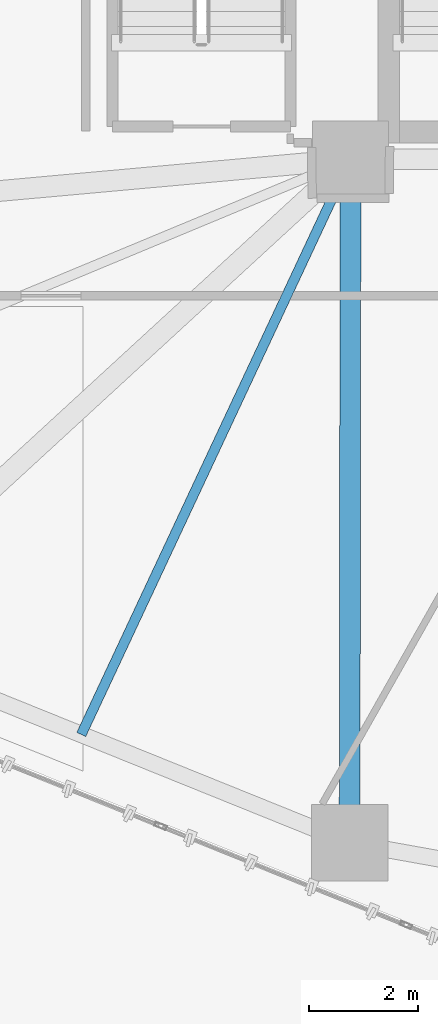
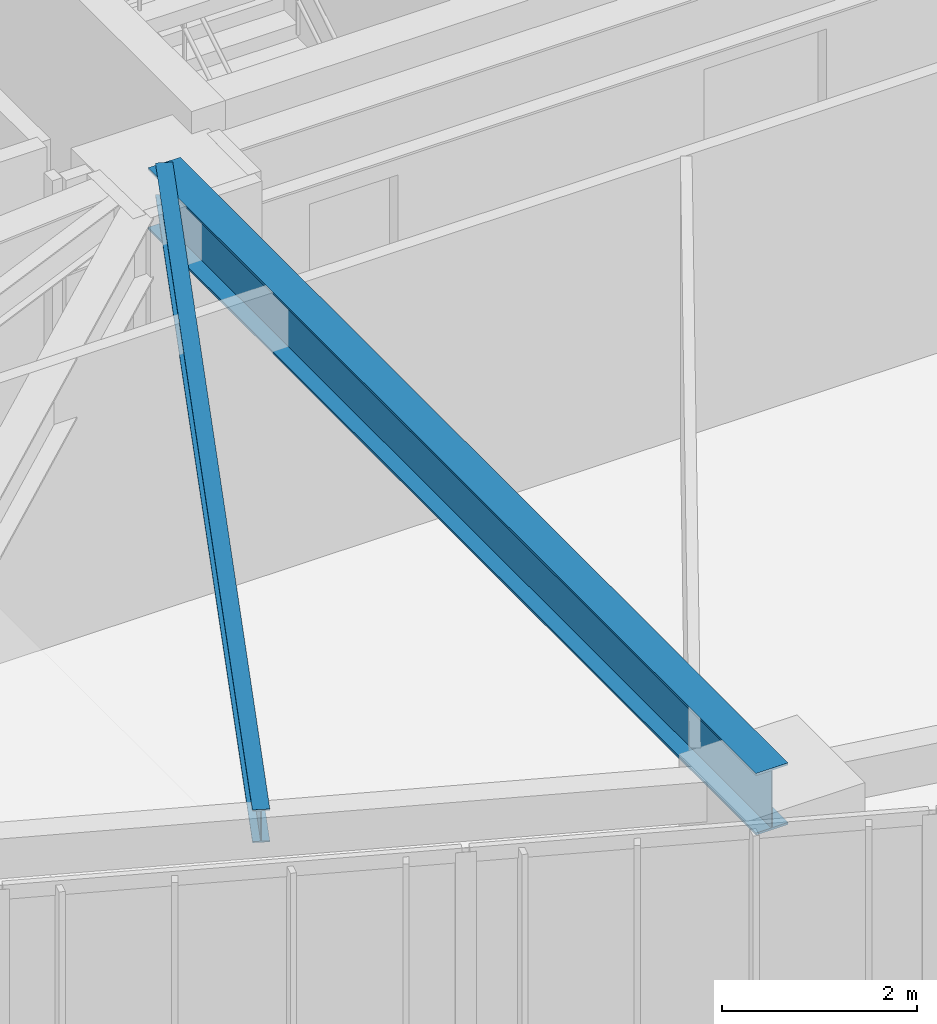
# One storey, part 5 of 23: 2 beams.
"""IFC4 building model written with IfcOpenShell, lengths in metres."""

from ifc_helpers import new_model, si_unit, direction, frame, origin, origin_2d, place, context, subcontext, project, spatial, i_section, extrude, material, material_profile, profile_set, type_object, element, save


model = new_model("IFC4")

# Units and contexts
model_context = context("Model", 3, precision=1e-05, world=origin(), true_north=direction((0.0, 1.0)))
body_context = subcontext(model_context, "Body", "Model", "MODEL_VIEW")
ifc_project = project(units=[si_unit("LENGTHUNIT", "METRE"), si_unit("AREAUNIT", "SQUARE_METRE"), si_unit("VOLUMEUNIT", "CUBIC_METRE"), si_unit("PLANEANGLEUNIT", "RADIAN"), si_unit("MASSUNIT", "GRAM", prefix="KILO")], contexts=[model_context])

# Site, building, storey
site_placement = place(None, origin())
site = spatial("IfcSite", under=ifc_project, at=site_placement, CompositionType="ELEMENT")
building_placement = place(site_placement, origin())
building = spatial("IfcBuilding", under=site, at=building_placement, Name="Talar Marvaseh", CompositionType="ELEMENT")
storey_placement = place(building_placement, frame((0.0, 0.0, 24.0)))
storey = spatial("IfcBuildingStorey", under=building, at=storey_placement, Name="L05", CompositionType="ELEMENT", Elevation=24.0)

# Beams
ifc_material = material(Name="Steel S355", Category="steel")
ifc_material_profile_1 = material_profile(ifc_material, i_section(OverallWidth=0.381103515625, OverallDepth=0.77294921875, WebThickness=0.0166015625, FlangeThickness=0.027099609375, at=origin_2d()), Name="W760x257")
ifc_profile_set_1 = profile_set([ifc_material_profile_1], Name="Steel S355")
beam_type_1 = type_object("IfcBeamType", Name="Zone 1 Radial Floor Girder W760x257", PredefinedType="BEAM", material=ifc_profile_set_1)
beam_1_placement = place(storey_placement, frame((18.68310546875, 12.97900390625, 3.133544921875), z_axis=(0.001345395187, 0.999999094955, 0.0), x_axis=(-0.999999094955, 0.001345395187, 0.0)))
element("IfcBeam", 1, at=beam_1_placement, inside=storey, type_object=beam_type_1, Name="L05 Zone 1 Radial Floor Girder W760x257", PredefinedType="BEAM", context=body_context, shape_type="SweptSolid", body=[
    extrude(i_section(OverallWidth=0.381103515625, OverallDepth=0.77294921875, WebThickness=0.0166015625, FlangeThickness=0.027099609375, at=origin_2d()), origin(), (0.0, 0.0, 1.0), 12.52099609375),
])
ifc_material_profile_2 = material_profile(ifc_material, i_section(OverallWidth=0.179931640625, OverallDepth=0.4130859375, WebThickness=0.009765625, FlangeThickness=0.01611328125, at=origin_2d()), Name="W410x75")
ifc_profile_set_2 = profile_set([ifc_material_profile_2], Name="Steel S355")
beam_type_2 = type_object("IfcBeamType", Name="Zone 1 Secondary Floor Joist W410x75", PredefinedType="JOIST", material=ifc_profile_set_2)
beam_2_placement = place(storey_placement, frame((13.7685546875, 14.9638671875, 3.3134765625), z_axis=(0.423911170159, 0.905703770454, 0.0), x_axis=(-0.905703770454, 0.423911170159, 0.0)))
element("IfcBeam", 2, at=beam_2_placement, inside=storey, type_object=beam_type_2, Name="L05 Zone 1 Secondary Floor Joist W410x75", PredefinedType="JOIST", context=body_context, shape_type="SweptSolid", body=[
    extrude(i_section(OverallWidth=0.179931640625, OverallDepth=0.4130859375, WebThickness=0.009765625, FlangeThickness=0.01611328125, at=origin_2d()), origin(), (0.0, 0.0, 1.0), 11.633056640625),
])

save(model, "model.ifc")
